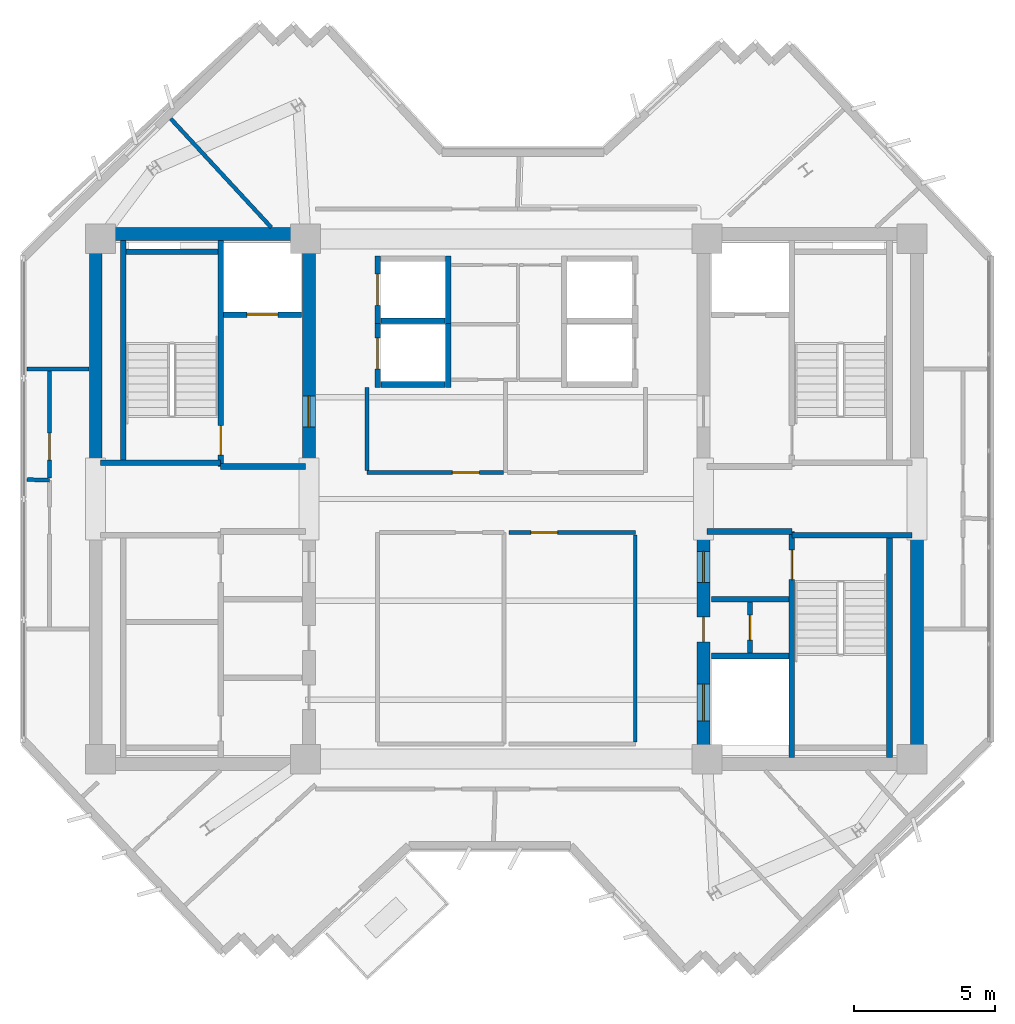
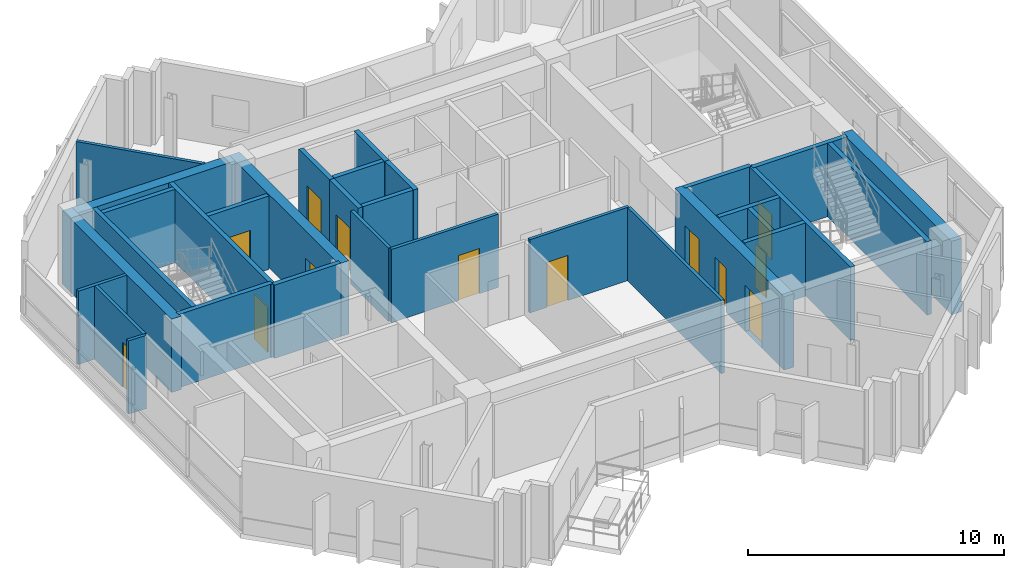
# One storey, part 5 of 9: 32 walls, 13 doors, 13 openings.
"""IFC4 building model written with IfcOpenShell, lengths in metres."""

from ifc_helpers import new_model, si_unit, direction, frame, frame_2d, origin, place, context, subcontext, project, spatial, rectangle, extrude, source, transform, mapped, material, layer, layer_set, type_object, element, fill, save


model = new_model("IFC4")

# Units and contexts
model_context = context("Model", 3, precision=1e-05, world=origin(), true_north=direction((0.0, 1.0)))
body_context = subcontext(model_context, "Body", "Model", "MODEL_VIEW")
ifc_project = project(units=[si_unit("LENGTHUNIT", "METRE"), si_unit("AREAUNIT", "SQUARE_METRE"), si_unit("VOLUMEUNIT", "CUBIC_METRE"), si_unit("PLANEANGLEUNIT", "RADIAN"), si_unit("MASSUNIT", "GRAM", prefix="KILO")], contexts=[model_context])

# Site, building, storey
site_placement = place(None, origin())
site = spatial("IfcSite", under=ifc_project, at=site_placement, CompositionType="ELEMENT")
building_placement = place(site_placement, origin())
building = spatial("IfcBuilding", under=site, at=building_placement, Name="Zahravan Cultural Tower", CompositionType="ELEMENT")
storey_placement = place(building_placement, frame((0.0, 0.0, 291.60009765625)))
storey = spatial("IfcBuildingStorey", under=building, at=storey_placement, Name="L70", CompositionType="ELEMENT", Elevation=291.60009765625)

# Wall, opening, door
ifc_material_1 = material(Name="Concrete C50/60", Category="concrete")
ifc_layer_1 = layer(ifc_material_1, 0.449951171875)
ifc_layer_set_1 = layer_set([ifc_layer_1], Name="Concrete C50/60")
wall_type_1 = type_object("IfcWallType", Name="CW-SHEAR-450-C50", PredefinedType="SHEAR", material=ifc_layer_set_1)
wall_1_placement = place(storey_placement, frame((29.02490234375, 28.050048828125, 0.0), z_axis=(0.0, 0.0, 1.0), x_axis=(0.0, 1.0, 0.0)))
wall_1 = element("IfcWall", 1, at=wall_1_placement, inside=storey, type_object=wall_type_1, Name="L70 Core Shear Wall CW-W-EN-L70", PredefinedType="SHEAR", context=body_context, shape_type="SweptSolid", body=[
    extrude(rectangle(XDim=8.550048828125, YDim=0.449951171875, at=frame_2d((4.27490234375, 0.0))), origin(), (0.0, 0.0, 1.0), 3.5),
])
opening_1_placement = place(wall_1_placement, frame((1.5, 0.0, 0.0)))
opening_1 = element("IfcOpeningElement", 2, at=opening_1_placement, cuts=wall_1, Name="Opening D-L70-06", PredefinedType="OPENING", context=body_context, shape_type="SweptSolid", body=[
    extrude(rectangle(XDim=1.10009765625, YDim=2.199951171875, at=frame_2d((0.550048828125, 1.10009765625))), frame((0.0, 0.23486328125, 0.0), z_axis=(0.0, -1.0, 0.0), x_axis=(1.0, 0.0, 0.0)), (0.0, 0.0, 1.0), 0.469970703125),
])
ifc_material_2 = material(Name="Steel ASTM A572 Grade 50", Category="steel")
door_type_1 = type_object("IfcDoorType", Name="DR-LOBBY-1100", OperationType="NOTDEFINED", PredefinedType="DOOR", material=ifc_material_2)
shared_shape_1 = source(origin(), body_context, "Body", "SweptSolid", [
    extrude(rectangle(XDim=1.10009765625, YDim=2.199951171875, at=frame_2d((0.550048828125, 1.10009765625))), frame((0.0, 0.02490234375, 0.0), z_axis=(0.0, -1.0, 0.0), x_axis=(1.0, 0.0, 0.0)), (0.0, 0.0, 1.0), 0.050048828125),
])
door_1_placement = place(opening_1_placement, origin())
door_1 = element("IfcDoor", 3, at=door_1_placement, inside=storey, type_object=door_type_1, Name="L70 Door D-L70-06", OperationType="SINGLE_SWING_LEFT", OverallHeight=2.199951171875, OverallWidth=1.10009765625, PredefinedType="DOOR", context=body_context, shape_type="MappedRepresentation", body=[
    mapped(shared_shape_1, transform((0.0, 0.0, 0.0), x_axis=(1.0, 0.0, 0.0), y_axis=(0.0, 1.0, 0.0), z_axis=(0.0, 0.0, 1.0), scale=1.0)),
])
fill(opening_1, door_1)

# Wall, openings, doors
wall_2_placement = place(storey_placement, frame((42.97509765625, 17.39990234375, 0.0), z_axis=(0.0, 0.0, 1.0), x_axis=(0.0, 1.0, 0.0)))
wall_2 = element("IfcWall", 4, at=wall_2_placement, inside=storey, type_object=wall_type_1, Name="L70 Core Shear Wall CW-E-WS-L70", PredefinedType="SHEAR", context=body_context, shape_type="SweptSolid", body=[
    extrude(rectangle(XDim=8.550048828125, YDim=0.449951171875, at=frame_2d((4.27490234375, 0.0))), origin(), (0.0, 0.0, 1.0), 3.5),
])
opening_2_placement = place(wall_2_placement, frame((6.64990234375, 0.0, 0.0)))
opening_2 = element("IfcOpeningElement", 5, at=opening_2_placement, cuts=wall_2, Name="Opening D-L70-09", PredefinedType="OPENING", context=body_context, shape_type="SweptSolid", body=[
    extrude(rectangle(XDim=1.10009765625, YDim=2.199951171875, at=frame_2d((0.550048828125, 1.10009765625))), frame((0.0, 0.23486328125, 0.0), z_axis=(0.0, -1.0, 0.0), x_axis=(1.0, 0.0, 0.0)), (0.0, 0.0, 1.0), 0.469970703125),
])
opening_3_placement = place(wall_2_placement, frame((1.75, 0.0, 0.0)))
opening_3 = element("IfcOpeningElement", 6, at=opening_3_placement, cuts=wall_2, Name="Opening LD-L70-03", PredefinedType="OPENING", context=body_context, shape_type="SweptSolid", body=[
    extrude(rectangle(XDim=1.300048828125, YDim=2.199951171875, at=frame_2d((0.64990234375, 1.10009765625))), frame((0.0, 0.23486328125, 0.0), z_axis=(0.0, -1.0, 0.0), x_axis=(1.0, 0.0, 0.0)), (0.0, 0.0, 1.0), 0.469970703125),
])
opening_4_placement = place(wall_2_placement, frame((4.550048828125, 0.0, 0.0)))
opening_4 = element("IfcOpeningElement", 7, at=opening_4_placement, cuts=wall_2, Name="Opening D-L70-12", PredefinedType="OPENING", context=body_context, shape_type="SweptSolid", body=[
    extrude(rectangle(XDim=0.8798828125, YDim=2.10009765625, at=frame_2d((0.43994140625, 1.050048828125))), frame((0.0, 0.23486328125, 0.0), z_axis=(0.0, -1.0, 0.0), x_axis=(1.0, 0.0, 0.0)), (0.0, 0.0, 1.0), 0.469970703125),
])
door_2_placement = place(opening_2_placement, origin())
door_2 = element("IfcDoor", 8, at=door_2_placement, inside=storey, type_object=door_type_1, Name="L70 Door D-L70-09", OperationType="SINGLE_SWING_RIGHT", OverallHeight=2.199951171875, OverallWidth=1.10009765625, PredefinedType="DOOR", context=body_context, shape_type="MappedRepresentation", body=[
    mapped(shared_shape_1, transform((0.0, 0.0, 0.0), x_axis=(1.0, 0.0, 0.0), y_axis=(0.0, 1.0, 0.0), z_axis=(0.0, 0.0, 1.0), scale=1.0)),
])
fill(opening_2, door_2)
door_type_2 = type_object("IfcDoorType", Name="DR-LIFT-1300", OperationType="DOUBLE_DOOR_SLIDING", PredefinedType="DOOR", material=ifc_material_2)
shared_shape_2 = source(origin(), body_context, "Body", "SweptSolid", [
    extrude(rectangle(XDim=1.300048828125, YDim=2.199951171875, at=frame_2d((0.64990234375, 1.10009765625))), frame((0.0, 0.02490234375, 0.0), z_axis=(0.0, -1.0, 0.0), x_axis=(1.0, 0.0, 0.0)), (0.0, 0.0, 1.0), 0.050048828125),
])
door_3_placement = place(opening_3_placement, origin())
door_3 = element("IfcDoor", 9, at=door_3_placement, inside=storey, type_object=door_type_2, Name="L70 Door LD-L70-03", OperationType="DOUBLE_DOOR_SLIDING", OverallHeight=2.199951171875, OverallWidth=1.300048828125, PredefinedType="DOOR", context=body_context, shape_type="MappedRepresentation", body=[
    mapped(shared_shape_2, transform((0.0, 0.0, 0.0), x_axis=(1.0, 0.0, 0.0), y_axis=(0.0, 1.0, 0.0), z_axis=(0.0, 0.0, 1.0), scale=1.0)),
])
fill(opening_3, door_3)
door_type_3 = type_object("IfcDoorType", Name="DR-SVC-880", OperationType="NOTDEFINED", PredefinedType="DOOR", material=ifc_material_2)
shared_shape_3 = source(origin(), body_context, "Body", "SweptSolid", [
    extrude(rectangle(XDim=0.8798828125, YDim=2.10009765625, at=frame_2d((0.43994140625, 1.050048828125))), frame((0.0, 0.02490234375, 0.0), z_axis=(0.0, -1.0, 0.0), x_axis=(1.0, 0.0, 0.0)), (0.0, 0.0, 1.0), 0.050048828125),
])
door_4_placement = place(opening_4_placement, origin())
door_4 = element("IfcDoor", 10, at=door_4_placement, inside=storey, type_object=door_type_3, Name="L70 Door D-L70-12", OperationType="SINGLE_SWING_LEFT", OverallHeight=2.10009765625, OverallWidth=0.8798828125, PredefinedType="DOOR", context=body_context, shape_type="MappedRepresentation", body=[
    mapped(shared_shape_3, transform((0.0, 0.0, 0.0), x_axis=(1.0, 0.0, 0.0), y_axis=(0.0, 1.0, 0.0), z_axis=(0.0, 0.0, 1.0), scale=1.0)),
])
fill(opening_4, door_4)

# Wall, opening, door
ifc_material_3 = material(Name="Gypsum plasterboard partition")
ifc_layer_2 = layer(ifc_material_3, 0.179931640625)
ifc_layer_set_2 = layer_set([ifc_layer_2], Name="Gypsum plasterboard partition")
wall_type_2 = type_object("IfcWallType", Name="W-COMP-180", PredefinedType="PARTITIONING", material=ifc_layer_set_2)
wall_3_placement = place(storey_placement, frame((44.6201171875, 21.550048828125, 0.0), z_axis=(0.0, 0.0, 1.0), x_axis=(0.0, 1.0, 0.0)))
wall_3 = element("IfcWall", 11, at=wall_3_placement, inside=storey, type_object=wall_type_2, Name="L70 Interior Wall 028", PredefinedType="PARTITIONING", context=body_context, shape_type="SweptSolid", body=[
    extrude(rectangle(XDim=1.800048828125, YDim=0.179931640625, at=frame_2d((0.89990234375, 0.0))), origin(), (0.0, 0.0, 1.0), 3.5),
])
opening_5_placement = place(wall_3_placement, frame((0.4599609375, 0.0, 0.0)))
opening_5 = element("IfcOpeningElement", 12, at=opening_5_placement, cuts=wall_3, Name="Opening D-L70-13", PredefinedType="OPENING", context=body_context, shape_type="SweptSolid", body=[
    extrude(rectangle(XDim=0.8798828125, YDim=2.10009765625, at=frame_2d((0.43994140625, 1.050048828125))), frame((0.0, 0.099853515625, 0.0), z_axis=(0.0, -1.0, 0.0), x_axis=(1.0, 0.0, 0.0)), (0.0, 0.0, 1.0), 0.199951171875),
])
door_5_placement = place(opening_5_placement, origin())
door_5 = element("IfcDoor", 13, at=door_5_placement, inside=storey, type_object=door_type_3, Name="L70 Door D-L70-13", OperationType="SINGLE_SWING_RIGHT", OverallHeight=2.10009765625, OverallWidth=0.8798828125, PredefinedType="DOOR", context=body_context, shape_type="MappedRepresentation", body=[
    mapped(shared_shape_3, transform((0.0, 0.0, 0.0), x_axis=(1.0, 0.0, 0.0), y_axis=(0.0, 1.0, 0.0), z_axis=(0.0, 0.0, 1.0), scale=1.0)),
])
fill(opening_5, door_5)

ifc_layer_3 = layer(ifc_material_3, 0.139892578125)
ifc_layer_set_3 = layer_set([ifc_layer_3], Name="Gypsum plasterboard partition")
wall_type_3 = type_object("IfcWallType", Name="W-PART-140", PredefinedType="PARTITIONING", material=ifc_layer_set_3)
wall_4_placement = place(storey_placement, frame((35.89501953125, 27.93994140625, 0.0), z_axis=(0.0, 0.0, 1.0), x_axis=(-1.0, 0.0, 0.0)))
wall_4 = element("IfcWall", 14, at=wall_4_placement, inside=storey, type_object=wall_type_3, Name="L70 Interior Wall 057", PredefinedType="PARTITIONING", context=body_context, shape_type="SweptSolid", body=[
    extrude(rectangle(XDim=4.81494140625, YDim=0.139892578125, at=frame_2d((2.407470703125, 0.0))), origin(), (0.0, 0.0, 1.0), 3.5),
])
opening_6_placement = place(wall_4_placement, frame((0.850341796875, 0.0, 0.0)))
opening_6 = element("IfcOpeningElement", 15, at=opening_6_placement, cuts=wall_4, Name="Opening D-L70-18", PredefinedType="OPENING", context=body_context, shape_type="SweptSolid", body=[
    extrude(rectangle(XDim=0.949951171875, YDim=2.14990234375, at=frame_2d((0.47509765625, 1.074951171875))), frame((0.0, 0.079833984375, 0.0), z_axis=(0.0, -1.0, 0.0), x_axis=(1.0, 0.0, 0.0)), (0.0, 0.0, 1.0), 0.159912109375),
])
ifc_material_4 = material(Name="Anodised bronze-aluminium mullion", Category="aluminium")
door_type_4 = type_object("IfcDoorType", Name="DR-ROOM-950", OperationType="NOTDEFINED", PredefinedType="DOOR", material=ifc_material_4)
shared_shape_4 = source(origin(), body_context, "Body", "SweptSolid", [
    extrude(rectangle(XDim=0.949951171875, YDim=2.14990234375, at=frame_2d((0.47509765625, 1.074951171875))), frame((0.0, 0.02490234375, 0.0), z_axis=(0.0, -1.0, 0.0), x_axis=(1.0, 0.0, 0.0)), (0.0, 0.0, 1.0), 0.050048828125),
])
door_6_placement = place(opening_6_placement, origin())
door_6 = element("IfcDoor", 16, at=door_6_placement, inside=storey, type_object=door_type_4, Name="L70 Door D-L70-18", OperationType="SINGLE_SWING_LEFT", OverallHeight=2.14990234375, OverallWidth=0.949951171875, PredefinedType="DOOR", context=body_context, shape_type="MappedRepresentation", body=[
    mapped(shared_shape_4, transform((0.0, 0.0, 0.0), x_axis=(1.0, 0.0, 0.0), y_axis=(0.0, 1.0, 0.0), z_axis=(0.0, 0.0, 1.0), scale=1.0)),
])
fill(opening_6, door_6)

wall_5_placement = place(storey_placement, frame((19.851318359375, 31.59765625, 0.0), z_axis=(0.0, 0.0, 1.0), x_axis=(-0.000316215517, -0.999999950004, 0.0)))
wall_5 = element("IfcWall", 17, at=wall_5_placement, inside=storey, type_object=wall_type_3, Name="L70 Interior Wall 077", PredefinedType="PARTITIONING", context=body_context, shape_type="SweptSolid", body=[
    extrude(rectangle(XDim=3.8603515625, YDim=0.139892578125, at=frame_2d((1.93017578125, 0.0))), origin(), (0.0, 0.0, 1.0), 3.5),
])
opening_7_placement = place(wall_5_placement, frame((2.27001953125, 0.0, 0.0)))
opening_7 = element("IfcOpeningElement", 18, at=opening_7_placement, cuts=wall_5, Name="Opening D-L70-23", PredefinedType="OPENING", context=body_context, shape_type="SweptSolid", body=[
    extrude(rectangle(XDim=0.949951171875, YDim=2.14990234375, at=frame_2d((0.47509765625, 1.074951171875))), frame((0.0, 0.079833984375, 0.0), z_axis=(0.0, -1.0, 0.0), x_axis=(1.0, 0.0, 0.0)), (0.0, 0.0, 1.0), 0.159912109375),
])
door_7_placement = place(opening_7_placement, origin())
door_7 = element("IfcDoor", 19, at=door_7_placement, inside=storey, type_object=door_type_4, Name="L70 Door D-L70-23", OperationType="SINGLE_SWING_RIGHT", OverallHeight=2.14990234375, OverallWidth=0.949951171875, PredefinedType="DOOR", context=body_context, shape_type="MappedRepresentation", body=[
    mapped(shared_shape_4, transform((0.0, 0.0, 0.0), x_axis=(1.0, 0.0, 0.0), y_axis=(0.0, 1.0, 0.0), z_axis=(0.0, 0.0, 1.0), scale=1.0)),
])
fill(opening_7, door_7)

wall_6_placement = place(storey_placement, frame((36.090087890625, 25.81005859375, 0.0), z_axis=(0.0, 0.0, 1.0), x_axis=(1.0, 0.0, 0.0)))
wall_6 = element("IfcWall", 20, at=wall_6_placement, inside=storey, type_object=wall_type_3, Name="L70 Interior Wall 086", PredefinedType="PARTITIONING", context=body_context, shape_type="SweptSolid", body=[
    extrude(rectangle(XDim=4.469970703125, YDim=0.139892578125, at=frame_2d((2.23486328125, 0.0))), origin(), (0.0, 0.0, 1.0), 3.5),
])
opening_8_placement = place(wall_6_placement, frame((0.7744140625, 0.0, 0.0)))
opening_8 = element("IfcOpeningElement", 21, at=opening_8_placement, cuts=wall_6, Name="Opening D-L70-15", PredefinedType="OPENING", context=body_context, shape_type="SweptSolid", body=[
    extrude(rectangle(XDim=0.949951171875, YDim=2.14990234375, at=frame_2d((0.47509765625, 1.074951171875))), frame((0.0, 0.079833984375, 0.0), z_axis=(0.0, -1.0, 0.0), x_axis=(1.0, 0.0, 0.0)), (0.0, 0.0, 1.0), 0.159912109375),
])
door_8_placement = place(opening_8_placement, origin())
door_8 = element("IfcDoor", 22, at=door_8_placement, inside=storey, type_object=door_type_4, Name="L70 Door D-L70-15", OperationType="SINGLE_SWING_RIGHT", OverallHeight=2.14990234375, OverallWidth=0.949951171875, PredefinedType="DOOR", context=body_context, shape_type="MappedRepresentation", body=[
    mapped(shared_shape_4, transform((0.0, 0.0, 0.0), x_axis=(1.0, 0.0, 0.0), y_axis=(0.0, 1.0, 0.0), z_axis=(0.0, 0.0, 1.0), scale=1.0)),
])
fill(opening_8, door_8)

ifc_material_5 = material(Name="Concrete C45/55", Category="concrete")
ifc_layer_4 = layer(ifc_material_5, 0.199951171875)
ifc_layer_set_4 = layer_set([ifc_layer_4], Name="Concrete C45/55")
wall_type_4 = type_object("IfcWallType", Name="W-SHAFT-200", PredefinedType="SOLIDWALL", material=ifc_layer_set_4)
wall_7_placement = place(storey_placement, frame((25.89990234375, 28.14990234375, 0.0), z_axis=(0.0, 0.0, 1.0), x_axis=(0.0, 1.0, 0.0)))
wall_7 = element("IfcWall", 23, at=wall_7_placement, inside=storey, type_object=wall_type_4, Name="L70 Interior Wall 006", PredefinedType="SOLIDWALL", context=body_context, shape_type="SweptSolid", body=[
    extrude(rectangle(XDim=8.0, YDim=0.199951171875, at=frame_2d((4.0, 0.0))), origin(), (0.0, 0.0, 1.0), 3.5),
])
opening_9_placement = place(wall_7_placement, frame((0.39990234375, 0.0, 0.0)))
opening_9 = element("IfcOpeningElement", 24, at=opening_9_placement, cuts=wall_7, Name="Opening D-L70-01", PredefinedType="OPENING", context=body_context, shape_type="SweptSolid", body=[
    extrude(rectangle(XDim=1.050048828125, YDim=2.14990234375, at=frame_2d((0.52490234375, 1.074951171875))), frame((0.0, 0.10986328125, 0.0), z_axis=(0.0, -1.0, 0.0), x_axis=(1.0, 0.0, 0.0)), (0.0, 0.0, 1.0), 0.219970703125),
])
door_type_5 = type_object("IfcDoorType", Name="DR-STAIR-1050", OperationType="NOTDEFINED", PredefinedType="DOOR", material=ifc_material_2)
shared_shape_5 = source(origin(), body_context, "Body", "SweptSolid", [
    extrude(rectangle(XDim=1.050048828125, YDim=2.14990234375, at=frame_2d((0.52490234375, 1.074951171875))), frame((0.0, 0.02490234375, 0.0), z_axis=(0.0, -1.0, 0.0), x_axis=(1.0, 0.0, 0.0)), (0.0, 0.0, 1.0), 0.050048828125),
])
door_9_placement = place(opening_9_placement, origin())
door_9 = element("IfcDoor", 25, at=door_9_placement, inside=storey, type_object=door_type_5, Name="L70 Door D-L70-01", OperationType="SINGLE_SWING_RIGHT", OverallHeight=2.14990234375, OverallWidth=1.050048828125, PredefinedType="DOOR", context=body_context, shape_type="MappedRepresentation", body=[
    mapped(shared_shape_5, transform((0.0, 0.0, 0.0), x_axis=(1.0, 0.0, 0.0), y_axis=(0.0, 1.0, 0.0), z_axis=(0.0, 0.0, 1.0), scale=1.0)),
])
fill(opening_9, door_9)

wall_8_placement = place(storey_placement, frame((46.10009765625, 17.85009765625, 0.0), z_axis=(0.0, 0.0, 1.0), x_axis=(0.0, 1.0, 0.0)))
wall_8 = element("IfcWall", 26, at=wall_8_placement, inside=storey, type_object=wall_type_4, Name="L70 Interior Wall 007", PredefinedType="SOLIDWALL", context=body_context, shape_type="SweptSolid", body=[
    extrude(rectangle(XDim=8.0, YDim=0.199951171875, at=frame_2d((4.0, 0.0))), origin(), (0.0, 0.0, 1.0), 3.5),
])
opening_10_placement = place(wall_8_placement, frame((6.300048828125, 0.0, 0.0)))
opening_10 = element("IfcOpeningElement", 27, at=opening_10_placement, cuts=wall_8, Name="Opening D-L70-03", PredefinedType="OPENING", context=body_context, shape_type="SweptSolid", body=[
    extrude(rectangle(XDim=1.050048828125, YDim=2.14990234375, at=frame_2d((0.52490234375, 1.074951171875))), frame((0.0, 0.10986328125, 0.0), z_axis=(0.0, -1.0, 0.0), x_axis=(1.0, 0.0, 0.0)), (0.0, 0.0, 1.0), 0.219970703125),
])
door_10_placement = place(opening_10_placement, origin())
door_10 = element("IfcDoor", 28, at=door_10_placement, inside=storey, type_object=door_type_5, Name="L70 Door D-L70-03", OperationType="SINGLE_SWING_RIGHT", OverallHeight=2.14990234375, OverallWidth=1.050048828125, PredefinedType="DOOR", context=body_context, shape_type="MappedRepresentation", body=[
    mapped(shared_shape_5, transform((0.0, 0.0, 0.0), x_axis=(1.0, 0.0, 0.0), y_axis=(0.0, 1.0, 0.0), z_axis=(0.0, 0.0, 1.0), scale=1.0)),
])
fill(opening_10, door_10)

wall_9_placement = place(storey_placement, frame((26.0, 33.52001953125, 0.0), z_axis=(0.0, 0.0, 1.0), x_axis=(1.0, 0.0, 0.0)))
wall_9 = element("IfcWall", 29, at=wall_9_placement, inside=storey, type_object=wall_type_4, Name="L70 Interior Wall 022", PredefinedType="SOLIDWALL", context=body_context, shape_type="SweptSolid", body=[
    extrude(rectangle(XDim=2.75, YDim=0.199951171875, at=frame_2d((1.375, 0.0))), origin(), (0.0, 0.0, 1.0), 3.5),
])
opening_11_placement = place(wall_9_placement, frame((0.820068359375, 0.0, 0.0)))
opening_11 = element("IfcOpeningElement", 30, at=opening_11_placement, cuts=wall_9, Name="Opening LD-L70-01", PredefinedType="OPENING", context=body_context, shape_type="SweptSolid", body=[
    extrude(rectangle(XDim=1.10009765625, YDim=2.14990234375, at=frame_2d((0.550048828125, 1.074951171875))), frame((0.0, 0.10986328125, 0.0), z_axis=(0.0, -1.0, 0.0), x_axis=(1.0, 0.0, 0.0)), (0.0, 0.0, 1.0), 0.219970703125),
])
door_type_6 = type_object("IfcDoorType", Name="DR-LIFT-1100", OperationType="DOUBLE_DOOR_SLIDING", PredefinedType="DOOR", material=ifc_material_2)
shared_shape_6 = source(origin(), body_context, "Body", "SweptSolid", [
    extrude(rectangle(XDim=1.10009765625, YDim=2.14990234375, at=frame_2d((0.550048828125, 1.074951171875))), frame((0.0, 0.02490234375, 0.0), z_axis=(0.0, -1.0, 0.0), x_axis=(1.0, 0.0, 0.0)), (0.0, 0.0, 1.0), 0.050048828125),
])
door_11_placement = place(opening_11_placement, origin())
door_11 = element("IfcDoor", 31, at=door_11_placement, inside=storey, type_object=door_type_6, Name="L70 Door LD-L70-01", OperationType="DOUBLE_DOOR_SLIDING", OverallHeight=2.14990234375, OverallWidth=1.10009765625, PredefinedType="DOOR", context=body_context, shape_type="MappedRepresentation", body=[
    mapped(shared_shape_6, transform((0.0, 0.0, 0.0), x_axis=(1.0, 0.0, 0.0), y_axis=(0.0, 1.0, 0.0), z_axis=(0.0, 0.0, 1.0), scale=1.0)),
])
fill(opening_11, door_11)

wall_10_placement = place(storey_placement, frame((31.449951171875, 33.199951171875, 0.0), z_axis=(0.0, 0.0, 1.0), x_axis=(0.0, 1.0, 0.0)))
wall_10 = element("IfcWall", 32, at=wall_10_placement, inside=storey, type_object=wall_type_4, Name="L70 Interior Wall 029", PredefinedType="SOLIDWALL", context=body_context, shape_type="SweptSolid", body=[
    extrude(rectangle(XDim=2.400146484375, YDim=0.199951171875, at=frame_2d((1.2001953125, 0.0))), origin(), (0.0, 0.0, 1.0), 3.5),
])
opening_12_placement = place(wall_10_placement, frame((0.64990234375, 0.0, 0.0)))
opening_12 = element("IfcOpeningElement", 33, at=opening_12_placement, cuts=wall_10, Name="Opening LD-L70-04", PredefinedType="OPENING", context=body_context, shape_type="SweptSolid", body=[
    extrude(rectangle(XDim=1.10009765625, YDim=2.14990234375, at=frame_2d((0.550048828125, 1.074951171875))), frame((0.0, 0.10986328125, 0.0), z_axis=(0.0, -1.0, 0.0), x_axis=(1.0, 0.0, 0.0)), (0.0, 0.0, 1.0), 0.219970703125),
])
door_12_placement = place(opening_12_placement, origin())
door_12 = element("IfcDoor", 34, at=door_12_placement, inside=storey, type_object=door_type_6, Name="L70 Door LD-L70-04", OperationType="DOUBLE_DOOR_SLIDING", OverallHeight=2.14990234375, OverallWidth=1.10009765625, PredefinedType="DOOR", context=body_context, shape_type="MappedRepresentation", body=[
    mapped(shared_shape_6, transform((0.0, 0.0, 0.0), x_axis=(1.0, 0.0, 0.0), y_axis=(0.0, 1.0, 0.0), z_axis=(0.0, 0.0, 1.0), scale=1.0)),
])
fill(opening_12, door_12)

wall_11_placement = place(storey_placement, frame((31.449951171875, 30.949951171875, 0.0), z_axis=(0.0, 0.0, 1.0), x_axis=(0.0, 1.0, 0.0)))
wall_11 = element("IfcWall", 35, at=wall_11_placement, inside=storey, type_object=wall_type_4, Name="L70 Interior Wall 033", PredefinedType="SOLIDWALL", context=body_context, shape_type="SweptSolid", body=[
    extrude(rectangle(XDim=2.400146484375, YDim=0.199951171875, at=frame_2d((1.2001953125, 0.0))), origin(), (0.0, 0.0, 1.0), 3.5),
])
opening_13_placement = place(wall_11_placement, frame((0.64990234375, 0.0, 0.0)))
opening_13 = element("IfcOpeningElement", 36, at=opening_13_placement, cuts=wall_11, Name="Opening LD-L70-05", PredefinedType="OPENING", context=body_context, shape_type="SweptSolid", body=[
    extrude(rectangle(XDim=1.10009765625, YDim=2.14990234375, at=frame_2d((0.550048828125, 1.074951171875))), frame((0.0, 0.10986328125, 0.0), z_axis=(0.0, -1.0, 0.0), x_axis=(1.0, 0.0, 0.0)), (0.0, 0.0, 1.0), 0.219970703125),
])
door_13_placement = place(opening_13_placement, origin())
door_13 = element("IfcDoor", 37, at=door_13_placement, inside=storey, type_object=door_type_6, Name="L70 Door LD-L70-05", OperationType="DOUBLE_DOOR_SLIDING", OverallHeight=2.14990234375, OverallWidth=1.10009765625, PredefinedType="DOOR", context=body_context, shape_type="MappedRepresentation", body=[
    mapped(shared_shape_6, transform((0.0, 0.0, 0.0), x_axis=(1.0, 0.0, 0.0), y_axis=(0.0, 1.0, 0.0), z_axis=(0.0, 0.0, 1.0), scale=1.0)),
])
fill(opening_13, door_13)

# Walls
shared_shape_7 = source(origin(), body_context, "Body", "SweptSolid", [
    extrude(rectangle(XDim=8.550048828125, YDim=0.449951171875, at=frame_2d((4.27490234375, 0.0))), origin(), (0.0, 0.0, 1.0), 3.5),
])
for number, where, z_axis, x_axis, name in (
    (38, (21.47509765625, 28.050048828125, 0.0), (0.0, 0.0, 1.0), (0.0, 1.0, 0.0), "L70 Core Shear Wall CW-W-WN-L70"),
    (39, (50.52490234375, 17.39990234375, 0.0), (0.0, 0.0, 1.0), (0.0, 1.0, 0.0), "L70 Core Shear Wall CW-E-ES-L70"),
):
    element("IfcWall", number, at=place(storey_placement, frame(where, z_axis=z_axis, x_axis=x_axis)), inside=storey, type_object=wall_type_1, Name=name, PredefinedType="SHEAR", context=body_context, shape_type="MappedRepresentation", body=[
        mapped(shared_shape_7, transform((0.0, 0.0, 0.0), x_axis=(1.0, 0.0, 0.0), y_axis=(0.0, 1.0, 0.0), z_axis=(0.0, 0.0, 1.0), scale=1.0)),
    ])
shared_shape_8 = source(origin(), body_context, "Body", "SweptSolid", [
    extrude(rectangle(XDim=7.10009765625, YDim=0.449951171875, at=frame_2d((3.550048828125, 0.0))), origin(), (0.0, 0.0, 1.0), 3.5),
])
wall_12_placement = place(storey_placement, frame((21.699951171875, 36.375, 0.0), z_axis=(0.0, 0.0, 1.0), x_axis=(1.0, 0.0, 0.0)))
element("IfcWall", 40, at=wall_12_placement, inside=storey, type_object=wall_type_1, Name="L70 Core Shear Wall CW-W-N-L70", PredefinedType="SHEAR", context=body_context, shape_type="MappedRepresentation", body=[
    mapped(shared_shape_8, transform((0.0, 0.0, 0.0), x_axis=(1.0, 0.0, 0.0), y_axis=(0.0, 1.0, 0.0), z_axis=(0.0, 0.0, 1.0), scale=1.0)),
])
shared_shape_9 = source(origin(), body_context, "Body", "SweptSolid", [
    extrude(rectangle(XDim=7.869873046875, YDim=0.199951171875, at=frame_2d((3.93505859375, 0.0))), origin(), (0.0, 0.0, 1.0), 3.5),
])
for number, where, z_axis, x_axis, name in (
    (41, (22.449951171875, 28.280029296875, 0.0), (0.0, 0.0, 1.0), (0.0, 1.0, 0.0), "L70 Interior Wall 002"),
    (42, (49.550048828125, 17.85009765625, 0.0), (0.0, 0.0, 1.0), (0.0, 1.0, 0.0), "L70 Interior Wall 003"),
):
    element("IfcWall", number, at=place(storey_placement, frame(where, z_axis=z_axis, x_axis=x_axis)), inside=storey, type_object=wall_type_4, Name=name, PredefinedType="SOLIDWALL", context=body_context, shape_type="MappedRepresentation", body=[
        mapped(shared_shape_9, transform((0.0, 0.0, 0.0), x_axis=(1.0, 0.0, 0.0), y_axis=(0.0, 1.0, 0.0), z_axis=(0.0, 0.0, 1.0), scale=1.0)),
    ])
shared_shape_10 = source(origin(), body_context, "Body", "SweptSolid", [
    extrude(rectangle(XDim=4.25, YDim=0.199951171875, at=frame_2d((2.125, 0.0))), origin(), (0.0, 0.0, 1.0), 3.5),
])
for number, where, z_axis, x_axis, name in (
    (43, (21.64990234375, 28.284912109375, 0.0), (0.0, 0.0, 1.0), (1.0, 0.0, 0.0), "L70 Interior Wall 011"),
    (44, (46.10009765625, 25.715087890625, 0.0), (0.0, 0.0, 1.0), (1.0, 0.0, 0.0), "L70 Interior Wall 014"),
):
    element("IfcWall", number, at=place(storey_placement, frame(where, z_axis=z_axis, x_axis=x_axis)), inside=storey, type_object=wall_type_4, Name=name, PredefinedType="SOLIDWALL", context=body_context, shape_type="MappedRepresentation", body=[
        mapped(shared_shape_10, transform((0.0, 0.0, 0.0), x_axis=(1.0, 0.0, 0.0), y_axis=(0.0, 1.0, 0.0), z_axis=(0.0, 0.0, 1.0), scale=1.0)),
    ])
shared_shape_11 = source(origin(), body_context, "Body", "SweptSolid", [
    extrude(rectangle(XDim=3.0, YDim=0.199951171875, at=frame_2d((1.5, 0.0))), origin(), (0.0, 0.0, 1.0), 3.5),
])
for number, where, z_axis, x_axis, name in (
    (45, (25.89990234375, 28.14990234375, 0.0), (0.0, 0.0, 1.0), (1.0, 0.0, 0.0), "L70 Interior Wall 012"),
    (46, (43.10009765625, 25.85009765625, 0.0), (0.0, 0.0, 1.0), (1.0, 0.0, 0.0), "L70 Interior Wall 013"),
):
    element("IfcWall", number, at=place(storey_placement, frame(where, z_axis=z_axis, x_axis=x_axis)), inside=storey, type_object=wall_type_4, Name=name, PredefinedType="SOLIDWALL", context=body_context, shape_type="MappedRepresentation", body=[
        mapped(shared_shape_11, transform((0.0, 0.0, 0.0), x_axis=(1.0, 0.0, 0.0), y_axis=(0.0, 1.0, 0.0), z_axis=(0.0, 0.0, 1.0), scale=1.0)),
    ])
shared_shape_12 = source(origin(), body_context, "Body", "SweptSolid", [
    extrude(rectangle(XDim=3.25, YDim=0.199951171875, at=frame_2d((1.625, 0.0))), origin(), (0.0, 0.0, 1.0), 3.5),
])
wall_13_placement = place(storey_placement, frame((22.550048828125, 35.75, 0.0), z_axis=(0.0, 0.0, 1.0), x_axis=(1.0, 0.0, 0.0)))
element("IfcWall", 47, at=wall_13_placement, inside=storey, type_object=wall_type_4, Name="L70 Interior Wall 017", PredefinedType="SOLIDWALL", context=body_context, shape_type="MappedRepresentation", body=[
    mapped(shared_shape_12, transform((0.0, 0.0, 0.0), x_axis=(1.0, 0.0, 0.0), y_axis=(0.0, 1.0, 0.0), z_axis=(0.0, 0.0, 1.0), scale=1.0)),
])
shared_shape_13 = source(origin(), body_context, "Body", "SweptSolid", [
    extrude(rectangle(XDim=2.75, YDim=0.199951171875, at=frame_2d((1.375, 0.0))), origin(), (0.0, 0.0, 1.0), 3.5),
])
for number, where, z_axis, x_axis, name in (
    (48, (43.25, 23.449951171875, 0.0), (0.0, 0.0, 1.0), (1.0, 0.0, 0.0), "L70 Interior Wall 025"),
    (49, (43.25, 21.449951171875, 0.0), (0.0, 0.0, 1.0), (1.0, 0.0, 0.0), "L70 Interior Wall 026"),
):
    element("IfcWall", number, at=place(storey_placement, frame(where, z_axis=z_axis, x_axis=x_axis)), inside=storey, type_object=wall_type_4, Name=name, PredefinedType="SOLIDWALL", context=body_context, shape_type="MappedRepresentation", body=[
        mapped(shared_shape_13, transform((0.0, 0.0, 0.0), x_axis=(1.0, 0.0, 0.0), y_axis=(0.0, 1.0, 0.0), z_axis=(0.0, 0.0, 1.0), scale=1.0)),
    ])
shared_shape_14 = source(origin(), body_context, "Body", "SweptSolid", [
    extrude(rectangle(XDim=2.400146484375, YDim=0.199951171875, at=frame_2d((1.2001953125, 0.0))), origin(), (0.0, 0.0, 1.0), 3.5),
])
for number, where, z_axis, x_axis, name in (
    (50, (33.949951171875, 33.199951171875, 0.0), (0.0, 0.0, 1.0), (0.0, 1.0, 0.0), "L70 Interior Wall 030"),
    (51, (33.949951171875, 30.949951171875, 0.0), (0.0, 0.0, 1.0), (0.0, 1.0, 0.0), "L70 Interior Wall 034"),
):
    element("IfcWall", number, at=place(storey_placement, frame(where, z_axis=z_axis, x_axis=x_axis)), inside=storey, type_object=wall_type_4, Name=name, PredefinedType="SOLIDWALL", context=body_context, shape_type="MappedRepresentation", body=[
        mapped(shared_shape_14, transform((0.0, 0.0, 0.0), x_axis=(1.0, 0.0, 0.0), y_axis=(0.0, 1.0, 0.0), z_axis=(0.0, 0.0, 1.0), scale=1.0)),
    ])
shared_shape_15 = source(origin(), body_context, "Body", "SweptSolid", [
    extrude(rectangle(XDim=2.260009765625, YDim=0.199951171875, at=frame_2d((1.1298828125, 0.0))), origin(), (0.0, 0.0, 1.0), 3.5),
])
for number, where, z_axis, x_axis, name in (
    (52, (31.570068359375, 33.300048828125, 0.0), (0.0, 0.0, 1.0), (1.0, 0.0, 0.0), "L70 Interior Wall 031"),
    (53, (31.570068359375, 31.050048828125, 0.0), (0.0, 0.0, 1.0), (1.0, 0.0, 0.0), "L70 Interior Wall 035"),
):
    element("IfcWall", number, at=place(storey_placement, frame(where, z_axis=z_axis, x_axis=x_axis)), inside=storey, type_object=wall_type_4, Name=name, PredefinedType="SOLIDWALL", context=body_context, shape_type="MappedRepresentation", body=[
        mapped(shared_shape_15, transform((0.0, 0.0, 0.0), x_axis=(1.0, 0.0, 0.0), y_axis=(0.0, 1.0, 0.0), z_axis=(0.0, 0.0, 1.0), scale=1.0)),
    ])
shared_shape_16 = source(origin(), body_context, "Body", "SweptSolid", [
    extrude(rectangle(XDim=2.93505859375, YDim=0.139892578125, at=frame_2d((1.467529296875, 0.0))), origin(), (0.0, 0.0, 1.0), 3.5),
])
wall_14_placement = place(storey_placement, frame((31.080078125, 28.014892578125, 0.0), z_axis=(0.0, 0.0, 1.0), x_axis=(0.0, 1.0, 0.0)))
element("IfcWall", 54, at=wall_14_placement, inside=storey, type_object=wall_type_3, Name="L70 Interior Wall 058", PredefinedType="PARTITIONING", context=body_context, shape_type="MappedRepresentation", body=[
    mapped(shared_shape_16, transform((0.0, 0.0, 0.0), x_axis=(1.0, 0.0, 0.0), y_axis=(0.0, 1.0, 0.0), z_axis=(0.0, 0.0, 1.0), scale=1.0)),
])
shared_shape_17 = source(origin(), body_context, "Body", "SweptSolid", [
    extrude(rectangle(XDim=7.320068359375, YDim=0.139892578125, at=frame_2d((3.66015625, 0.0))), origin(), (0.0, 0.0, 1.0), 3.5),
])
wall_15_placement = place(storey_placement, frame((40.56005859375, 25.735107421875, 0.0), z_axis=(0.0, 0.0, 1.0), x_axis=(0.0, -1.0, 0.0)))
element("IfcWall", 55, at=wall_15_placement, inside=storey, type_object=wall_type_3, Name="L70 Interior Wall 087", PredefinedType="PARTITIONING", context=body_context, shape_type="MappedRepresentation", body=[
    mapped(shared_shape_17, transform((0.0, 0.0, 0.0), x_axis=(1.0, 0.0, 0.0), y_axis=(0.0, 1.0, 0.0), z_axis=(0.0, 0.0, 1.0), scale=1.0)),
])
shared_shape_18 = source(origin(), body_context, "Body", "SweptSolid", [
    extrude(rectangle(XDim=2.195068359375, YDim=0.139892578125, at=frame_2d((1.09765625, 0.0))), origin(), (0.0, 0.0, 1.0), 3.5),
])
wall_16_placement = place(storey_placement, frame((21.2451171875, 31.599853515625, 0.0), z_axis=(0.0, 0.0, 1.0), x_axis=(-0.999998787702, -0.001557110781, 0.0)))
element("IfcWall", 56, at=wall_16_placement, inside=storey, type_object=wall_type_3, Name="L70 Interior Wall 080", PredefinedType="PARTITIONING", context=body_context, shape_type="MappedRepresentation", body=[
    mapped(shared_shape_18, transform((0.0, 0.0, 0.0), x_axis=(1.0, 0.0, 0.0), y_axis=(0.0, 1.0, 0.0), z_axis=(0.0, 0.0, 1.0), scale=1.0)),
])
shared_shape_19 = source(origin(), body_context, "Body", "SweptSolid", [
    extrude(rectangle(XDim=0.794921875, YDim=0.139892578125, at=frame_2d((0.3974609375, 0.0))), origin(), (0.0, 0.0, 1.0), 3.5),
])
wall_17_placement = place(storey_placement, frame((19.054931640625, 27.689453125, 0.0), z_axis=(0.0, 0.0, 1.0), x_axis=(0.999418697686, -0.034092033019, 0.0)))
element("IfcWall", 57, at=wall_17_placement, inside=storey, type_object=wall_type_3, Name="L70 Interior Wall 068", PredefinedType="PARTITIONING", context=body_context, shape_type="MappedRepresentation", body=[
    mapped(shared_shape_19, transform((0.0, 0.0, 0.0), x_axis=(1.0, 0.0, 0.0), y_axis=(0.0, 1.0, 0.0), z_axis=(0.0, 0.0, 1.0), scale=1.0)),
])
shared_shape_20 = source(origin(), body_context, "Body", "SweptSolid", [
    extrude(rectangle(XDim=5.23779296875, YDim=0.139892578125, at=frame_2d((2.618896484375, 0.0))), origin(), (0.0, 0.0, 1.0), 3.5),
])
wall_18_placement = place(storey_placement, frame((24.131591796875, 40.4501953125, 0.0), z_axis=(0.0, 0.0, 1.0), x_axis=(0.67899802156, -0.734140100197, 0.0)))
element("IfcWall", 58, at=wall_18_placement, inside=storey, type_object=wall_type_3, Name="L70 Interior Wall 079", PredefinedType="PARTITIONING", context=body_context, shape_type="MappedRepresentation", body=[
    mapped(shared_shape_20, transform((0.0, 0.0, 0.0), x_axis=(1.0, 0.0, 0.0), y_axis=(0.0, 1.0, 0.0), z_axis=(0.0, 0.0, 1.0), scale=1.0)),
])

save(model, "model.ifc")
